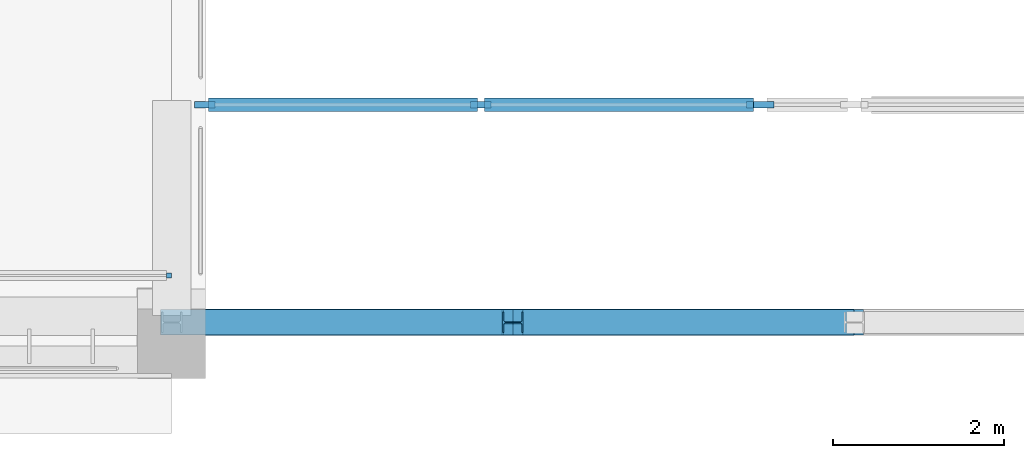
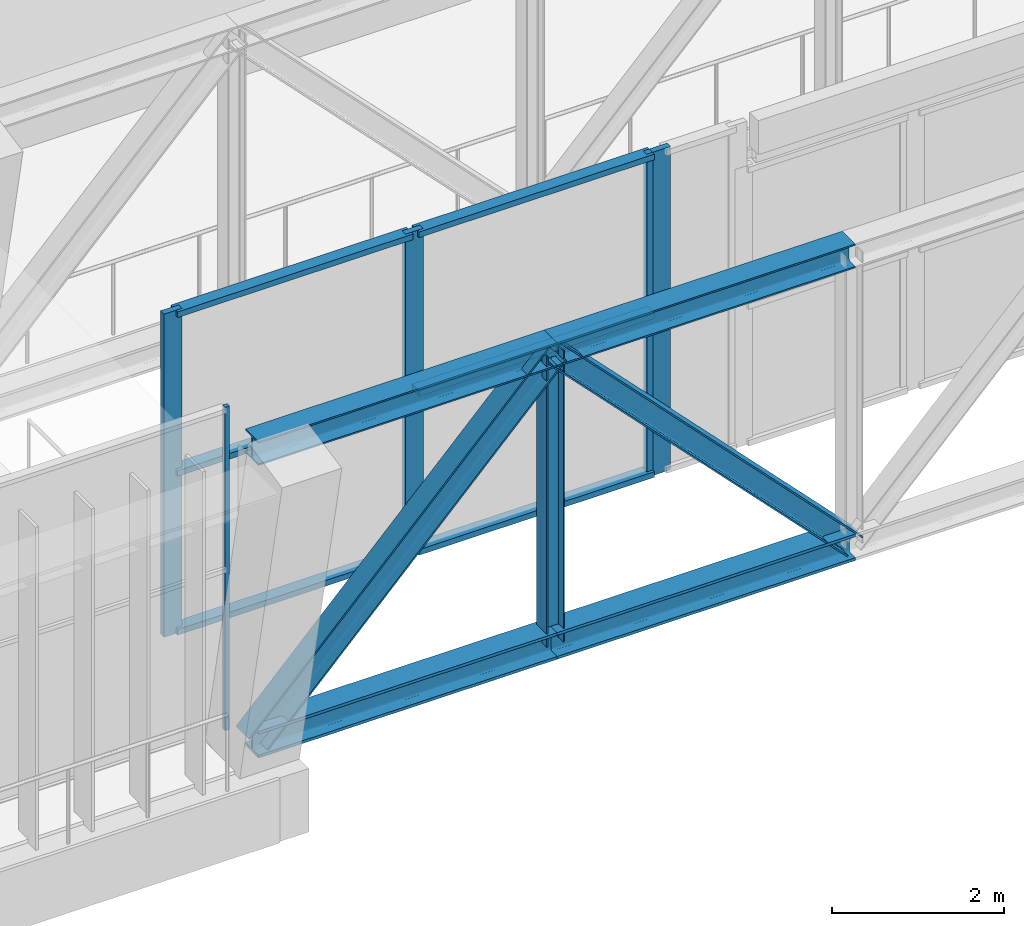
# One storey, part 34 of 141: 18 members, 3 elements without a shape of their own.
"""IFC4 building model written with IfcOpenShell, lengths in metres."""

from ifc_helpers import new_model, si_unit, direction, frame, origin, origin_2d, place, context, subcontext, project, spatial, rectangle, i_section, extrude, material, material_profile, profile_set, type_object, element, aggregate, save


model = new_model("IFC4")

# Units and contexts
model_context = context("Model", 3, precision=1e-05, world=origin(), true_north=direction((0.0, 1.0)))
body_context = subcontext(model_context, "Body", "Model", "MODEL_VIEW")
ifc_project = project(units=[si_unit("LENGTHUNIT", "METRE"), si_unit("AREAUNIT", "SQUARE_METRE"), si_unit("VOLUMEUNIT", "CUBIC_METRE"), si_unit("PLANEANGLEUNIT", "RADIAN"), si_unit("MASSUNIT", "GRAM", prefix="KILO")], contexts=[model_context])

# Site, building, storey
site_placement = place(None, origin())
site = spatial("IfcSite", under=ifc_project, at=site_placement, CompositionType="ELEMENT")
building_placement = place(site_placement, origin())
building = spatial("IfcBuilding", under=site, at=building_placement, Name="Lantern Court Media Centre", CompositionType="ELEMENT")
storey_placement = place(building_placement, frame((0.0, 0.0, 9.60009765625)))
storey = spatial("IfcBuildingStorey", under=building, at=storey_placement, Name="L02", CompositionType="ELEMENT", Elevation=9.60009765625)

# Curtain wall, member
ifc_material_1 = material(Name="Curtain wall bay 3000")
curtain_wall_type_1 = type_object("IfcCurtainWallType", Name="Curtain wall bay 3000", PredefinedType="NOTDEFINED", material=ifc_material_1)
curtain_wall_1_placement = place(storey_placement, origin())
curtain_wall_1 = element("IfcCurtainWall", 1, at=curtain_wall_1_placement, inside=storey, type_object=curtain_wall_type_1, Name="Curtain wall S outer L02", PredefinedType="NOTDEFINED")
ifc_material_2 = material(Name="Anodised aluminium", Category="aluminium")
ifc_material_profile_1 = material_profile(ifc_material_2, rectangle(XDim=0.06005859375, YDim=0.06005859375, at=origin_2d()), Name="AL 60x60")
ifc_profile_set_1 = profile_set([ifc_material_profile_1], Name="Anodised aluminium")
member_type_1 = type_object("IfcMemberType", Name="Curtain wall mullion 60x60", PredefinedType="MULLION", material=ifc_profile_set_1)
member_1_placement = place(storey_placement, frame((39.969970703125, 47.14990234375, 0.0), z_axis=(0.0, 0.0, 1.0), x_axis=(0.0, 1.0, 0.0)))
member_1 = element("IfcMember", 2, at=member_1_placement, type_object=member_type_1, Name="CW1 mullion 3", PredefinedType="MULLION", context=body_context, shape_type="SweptSolid", body=[
    extrude(rectangle(XDim=0.06005859375, YDim=0.06005859375, at=origin_2d()), origin(), (0.0, 0.0, 1.0), 4.579833984375),
])
aggregate(curtain_wall_1, [member_1])

# Curtain wall, members
ifc_material_3 = material(Name="Curtain wall bay 4000")
curtain_wall_type_2 = type_object("IfcCurtainWallType", Name="Curtain wall bay 4000", PredefinedType="NOTDEFINED", material=ifc_material_3)
curtain_wall_2_placement = place(storey_placement, origin())
curtain_wall_2 = element("IfcCurtainWall", 3, at=curtain_wall_2_placement, inside=storey, type_object=curtain_wall_type_2, Name="Curtain wall S outer L02", PredefinedType="NOTDEFINED")
ifc_material_profile_2 = material_profile(ifc_material_2, rectangle(XDim=0.080078125, YDim=0.239990234375, at=origin_2d()), Name="AL 80x240")
ifc_profile_set_2 = profile_set([ifc_material_profile_2], Name="Anodised aluminium")
member_type_2 = type_object("IfcMemberType", Name="Curtain wall mullion 80x240", PredefinedType="MULLION", material=ifc_profile_set_2)
member_2_placement = place(storey_placement, frame((40.389892578125, 49.14990234375, 0.0), z_axis=(0.0, 0.0, 1.0), x_axis=(0.0, 1.0, 0.0)))
member_2 = element("IfcMember", 4, at=member_2_placement, type_object=member_type_2, Name="CW3 mullion 1", PredefinedType="MULLION", context=body_context, shape_type="SweptSolid", body=[
    extrude(rectangle(XDim=0.080078125, YDim=0.239990234375, at=origin_2d()), origin(), (0.0, 0.0, 1.0), 4.579833984375),
])
member_3_placement = place(storey_placement, frame((43.625, 49.14990234375, 0.0), z_axis=(0.0, 0.0, 1.0), x_axis=(0.0, 1.0, 0.0)))
member_3 = element("IfcMember", 5, at=member_3_placement, type_object=member_type_2, Name="CW3 mullion 2", PredefinedType="MULLION", context=body_context, shape_type="SweptSolid", body=[
    extrude(rectangle(XDim=0.080078125, YDim=0.239990234375, at=origin_2d()), origin(), (0.0, 0.0, 1.0), 4.579833984375),
])
member_4_placement = place(storey_placement, frame((46.860107421875, 49.14990234375, 0.0), z_axis=(0.0, 0.0, 1.0), x_axis=(0.0, 1.0, 0.0)))
member_4 = element("IfcMember", 6, at=member_4_placement, type_object=member_type_2, Name="CW3 mullion 3", PredefinedType="MULLION", context=body_context, shape_type="SweptSolid", body=[
    extrude(rectangle(XDim=0.080078125, YDim=0.239990234375, at=origin_2d()), origin(), (0.0, 0.0, 1.0), 4.579833984375),
])

# Curtain wall, member
curtain_wall_3_placement = place(storey_placement, origin())
curtain_wall_3 = element("IfcCurtainWall", 7, at=curtain_wall_3_placement, inside=storey, type_object=curtain_wall_type_2, Name="Curtain wall S outer L02", PredefinedType="NOTDEFINED")
member_5_placement = place(storey_placement, frame((46.93994140625, 49.14990234375, 0.0), z_axis=(0.0, 0.0, 1.0), x_axis=(0.0, 1.0, 0.0)))
member_5 = element("IfcMember", 8, at=member_5_placement, type_object=member_type_2, Name="CW3 mullion 1", PredefinedType="MULLION", context=body_context, shape_type="SweptSolid", body=[
    extrude(rectangle(XDim=0.080078125, YDim=0.239990234375, at=origin_2d()), origin(), (0.0, 0.0, 1.0), 4.579833984375),
])
aggregate(curtain_wall_3, [member_5])

# Member
ifc_material_profile_3 = material_profile(ifc_material_2, rectangle(XDim=0.159912109375, YDim=0.080078125, at=origin_2d()), Name="AL 80x160")
ifc_profile_set_3 = profile_set([ifc_material_profile_3], Name="Anodised aluminium")
member_type_3 = type_object("IfcMemberType", Name="Curtain wall transom 160x80", PredefinedType="USERDEFINED", material=ifc_profile_set_3)
member_6_placement = place(storey_placement, frame((40.429931640625, 49.14990234375, 0.039794921875), z_axis=(1.0, 0.0, 0.0), x_axis=(0.0, 1.0, 0.0)))
member_6 = element("IfcMember", 9, at=member_6_placement, type_object=member_type_3, Name="CW3 transom 1.1", ObjectType="TRANSOM", PredefinedType="USERDEFINED", context=body_context, shape_type="SweptSolid", body=[
    extrude(rectangle(XDim=0.159912109375, YDim=0.080078125, at=origin_2d()), origin(), (0.0, 0.0, 1.0), 3.155029296875),
])

member_7_placement = place(storey_placement, frame((40.429931640625, 49.14990234375, 2.289794921875), z_axis=(1.0, 0.0, 0.0), x_axis=(0.0, 1.0, 0.0)))
member_7 = element("IfcMember", 10, at=member_7_placement, type_object=member_type_3, Name="CW3 transom 1.2", ObjectType="TRANSOM", PredefinedType="USERDEFINED", context=body_context, shape_type="SweptSolid", body=[
    extrude(rectangle(XDim=0.159912109375, YDim=0.080078125, at=origin_2d()), origin(), (0.0, 0.0, 1.0), 3.155029296875),
])

member_8_placement = place(storey_placement, frame((40.429931640625, 49.14990234375, 4.539794921875), z_axis=(1.0, 0.0, 0.0), x_axis=(0.0, 1.0, 0.0)))
member_8 = element("IfcMember", 11, at=member_8_placement, type_object=member_type_3, Name="CW3 transom 1.3", ObjectType="TRANSOM", PredefinedType="USERDEFINED", context=body_context, shape_type="SweptSolid", body=[
    extrude(rectangle(XDim=0.159912109375, YDim=0.080078125, at=origin_2d()), origin(), (0.0, 0.0, 1.0), 3.155029296875),
])

member_9_placement = place(storey_placement, frame((43.6650390625, 49.14990234375, 0.039794921875), z_axis=(1.0, 0.0, 0.0), x_axis=(0.0, 1.0, 0.0)))
member_9 = element("IfcMember", 12, at=member_9_placement, type_object=member_type_3, Name="CW3 transom 2.1", ObjectType="TRANSOM", PredefinedType="USERDEFINED", context=body_context, shape_type="SweptSolid", body=[
    extrude(rectangle(XDim=0.159912109375, YDim=0.080078125, at=origin_2d()), origin(), (0.0, 0.0, 1.0), 3.155029296875),
])

member_10_placement = place(storey_placement, frame((43.6650390625, 49.14990234375, 2.289794921875), z_axis=(1.0, 0.0, 0.0), x_axis=(0.0, 1.0, 0.0)))
member_10 = element("IfcMember", 13, at=member_10_placement, type_object=member_type_3, Name="CW3 transom 2.2", ObjectType="TRANSOM", PredefinedType="USERDEFINED", context=body_context, shape_type="SweptSolid", body=[
    extrude(rectangle(XDim=0.159912109375, YDim=0.080078125, at=origin_2d()), origin(), (0.0, 0.0, 1.0), 3.155029296875),
])

member_11_placement = place(storey_placement, frame((43.6650390625, 49.14990234375, 4.539794921875), z_axis=(1.0, 0.0, 0.0), x_axis=(0.0, 1.0, 0.0)))
member_11 = element("IfcMember", 14, at=member_11_placement, type_object=member_type_3, Name="CW3 transom 2.3", ObjectType="TRANSOM", PredefinedType="USERDEFINED", context=body_context, shape_type="SweptSolid", body=[
    extrude(rectangle(XDim=0.159912109375, YDim=0.080078125, at=origin_2d()), origin(), (0.0, 0.0, 1.0), 3.155029296875),
])

aggregate(curtain_wall_2, [member_2, member_3, member_4, member_6, member_7, member_8, member_9, member_10, member_11])

# Members
ifc_material_4 = material(Name="Steel S355J2 (EN 10025-2)", Category="steel")
ifc_material_profile_4 = material_profile(ifc_material_4, i_section(OverallWidth=0.30908203125, OverallDepth=0.376953125, WebThickness=0.02099609375, FlangeThickness=0.0400390625, FilletRadius=0.027099609375, at=origin_2d()), Name="HEM 340")
ifc_profile_set_4 = profile_set([ifc_material_profile_4], Name="Steel S355J2 (EN 10025-2)")
member_type_4 = type_object("IfcMemberType", Name="Entrance transfer truss chord HEM 340", PredefinedType="CHORD", material=ifc_profile_set_4)
for number, where, z_axis, x_axis, name in (
    (15, (40.0, 46.60009765625, 0.1884765625), (1.0, 0.0, 0.0), (0.0, 1.0, 0.0), "Transfer truss 1 bottom chord 1"),
    (16, (44.0, 46.60009765625, 0.1884765625), (1.0, 0.0, 0.0), (0.0, 1.0, 0.0), "Transfer truss 1 bottom chord 2"),
):
    element("IfcMember", number, at=place(storey_placement, frame(where, z_axis=z_axis, x_axis=x_axis)), inside=storey, type_object=member_type_4, Name=name, PredefinedType="CHORD", context=body_context, shape_type="SweptSolid", body=[
        extrude(i_section(OverallWidth=0.30908203125, OverallDepth=0.376953125, WebThickness=0.02099609375, FlangeThickness=0.0400390625, FilletRadius=0.027099609375, at=origin_2d()), origin(), (0.0, 0.0, 1.0), 4.0),
    ])
ifc_material_profile_5 = material_profile(ifc_material_4, i_section(OverallWidth=0.300048828125, OverallDepth=0.300048828125, WebThickness=0.010986328125, FlangeThickness=0.01904296875, FilletRadius=0.027099609375, at=origin_2d()), Name="HEB 300")
ifc_profile_set_5 = profile_set([ifc_material_profile_5], Name="Steel S355J2 (EN 10025-2)")
member_type_5 = type_object("IfcMemberType", Name="Entrance transfer truss diagonal HEB 300", PredefinedType="BRACE", material=ifc_profile_set_5)
member_12_placement = place(storey_placement, frame((44.0, 46.60009765625, 4.3115234375), z_axis=(0.696315735079, 0.0, -0.717735603883), x_axis=(0.0, 1.0, 0.0)))
element("IfcMember", 17, at=member_12_placement, inside=storey, type_object=member_type_5, Name="Transfer truss 1 diagonal 2", PredefinedType="BRACE", context=body_context, shape_type="SweptSolid", body=[
    extrude(i_section(OverallWidth=0.300048828125, OverallDepth=0.300048828125, WebThickness=0.010986328125, FlangeThickness=0.01904296875, FilletRadius=0.027099609375, at=origin_2d()), origin(), (0.0, 0.0, 1.0), 5.74462890625),
])
ifc_material_profile_6 = material_profile(ifc_material_4, i_section(OverallWidth=0.300048828125, OverallDepth=0.360107421875, WebThickness=0.012451171875, FlangeThickness=0.0224609375, FilletRadius=0.027099609375, at=origin_2d()), Name="HEB 360")
ifc_profile_set_6 = profile_set([ifc_material_profile_6], Name="Steel S355J2 (EN 10025-2)")
member_type_6 = type_object("IfcMemberType", Name="Entrance transfer truss diagonal HEB 360", PredefinedType="BRACE", material=ifc_profile_set_6)
member_13_placement = place(storey_placement, frame((40.0, 46.60009765625, 0.1884765625), z_axis=(0.696315735079, 0.0, 0.717735603883), x_axis=(0.0, 1.0, 0.0)))
element("IfcMember", 18, at=member_13_placement, inside=storey, type_object=member_type_6, Name="Transfer truss 1 diagonal 1", PredefinedType="BRACE", context=body_context, shape_type="SweptSolid", body=[
    extrude(i_section(OverallWidth=0.300048828125, OverallDepth=0.360107421875, WebThickness=0.012451171875, FlangeThickness=0.0224609375, FilletRadius=0.027099609375, at=origin_2d()), origin(), (0.0, 0.0, 1.0), 5.74462890625),
])
ifc_material_profile_7 = material_profile(ifc_material_4, i_section(OverallWidth=0.300048828125, OverallDepth=0.340087890625, WebThickness=0.011962890625, FlangeThickness=0.021484375, FilletRadius=0.027099609375, at=origin_2d()), Name="HEB 340")
ifc_profile_set_7 = profile_set([ifc_material_profile_7], Name="Steel S355J2 (EN 10025-2)")
member_type_7 = type_object("IfcMemberType", Name="Entrance transfer truss top chord HEB 340", PredefinedType="CHORD", material=ifc_profile_set_7)
for number, where, z_axis, x_axis, name in (
    (19, (40.0, 46.60009765625, 4.3115234375), (1.0, 0.0, 0.0), (0.0, 1.0, 0.0), "Transfer truss 1 top chord 1"),
    (20, (44.0, 46.60009765625, 4.3115234375), (1.0, 0.0, 0.0), (0.0, 1.0, 0.0), "Transfer truss 1 top chord 2"),
):
    element("IfcMember", number, at=place(storey_placement, frame(where, z_axis=z_axis, x_axis=x_axis)), inside=storey, type_object=member_type_7, Name=name, PredefinedType="CHORD", context=body_context, shape_type="SweptSolid", body=[
        extrude(i_section(OverallWidth=0.300048828125, OverallDepth=0.340087890625, WebThickness=0.011962890625, FlangeThickness=0.021484375, FilletRadius=0.027099609375, at=origin_2d()), origin(), (0.0, 0.0, 1.0), 4.0),
    ])
ifc_material_profile_8 = material_profile(ifc_material_4, i_section(OverallWidth=0.239990234375, OverallDepth=0.239990234375, WebThickness=0.010009765625, FlangeThickness=0.01708984375, FilletRadius=0.02099609375, at=origin_2d()), Name="HEB 240")
ifc_profile_set_8 = profile_set([ifc_material_profile_8], Name="Steel S355J2 (EN 10025-2)")
member_type_8 = type_object("IfcMemberType", Name="Entrance transfer truss vertical HEB 240", PredefinedType="POST", material=ifc_profile_set_8)
member_14_placement = place(storey_placement, frame((44.0, 46.60009765625, 0.1884765625), z_axis=(0.0, 0.0, 1.0), x_axis=(0.0, 1.0, 0.0)))
element("IfcMember", 21, at=member_14_placement, inside=storey, type_object=member_type_8, Name="Transfer truss 1 vertical 2", PredefinedType="POST", context=body_context, shape_type="SweptSolid", body=[
    extrude(i_section(OverallWidth=0.239990234375, OverallDepth=0.239990234375, WebThickness=0.010009765625, FlangeThickness=0.01708984375, FilletRadius=0.02099609375, at=origin_2d()), origin(), (0.0, 0.0, 1.0), 4.123046875),
])

save(model, "model.ifc")
